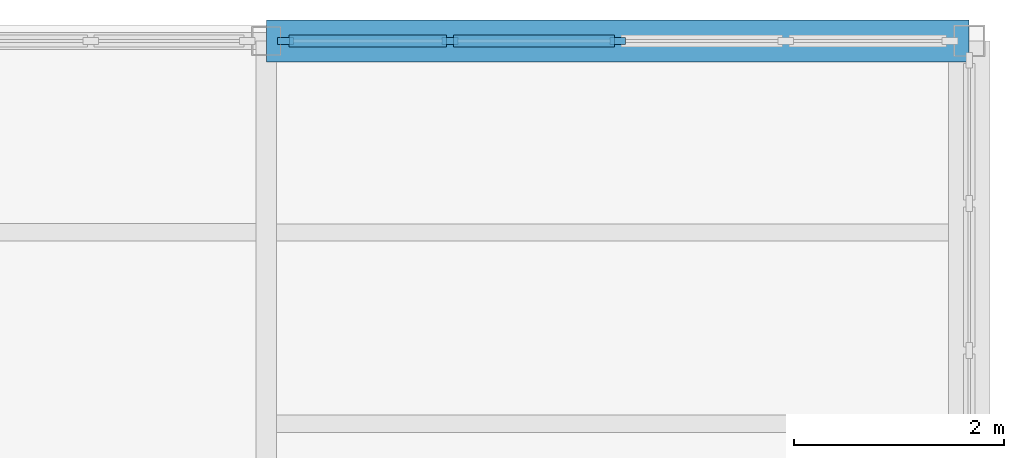
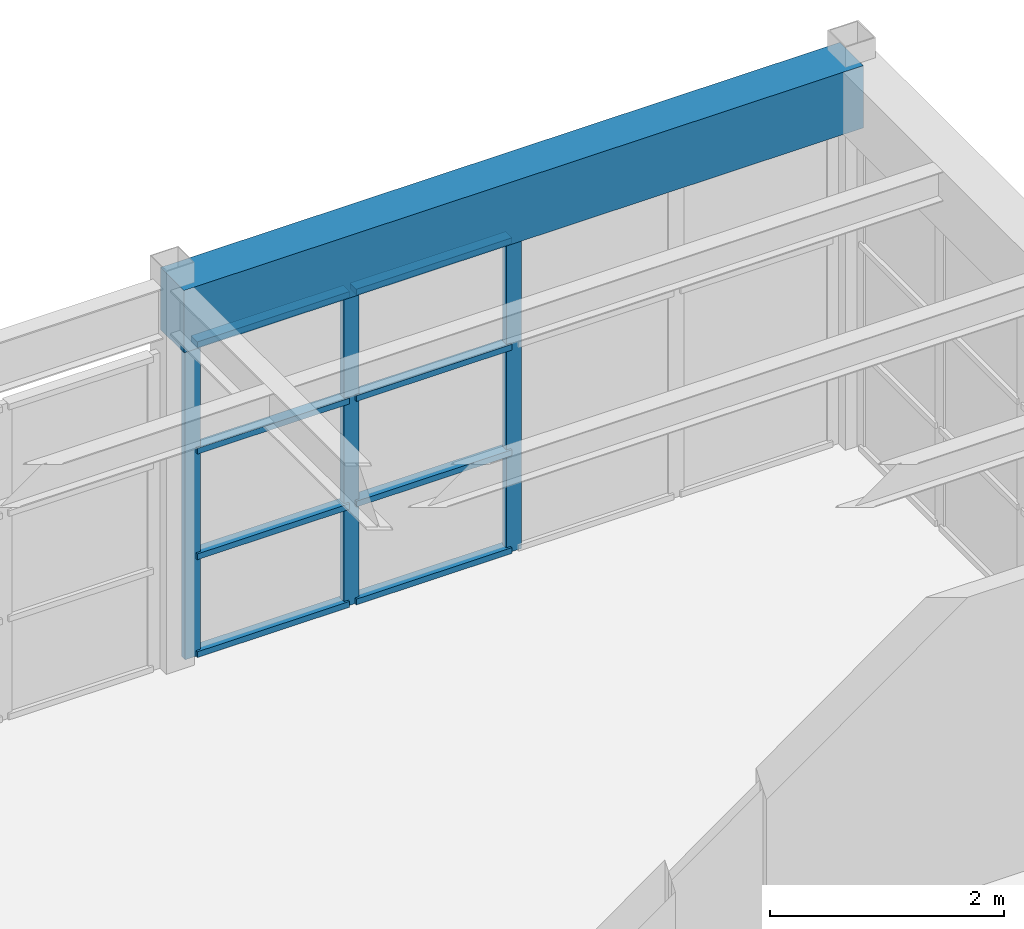
# One storey, part 31 of 52: 11 members, 1 beam, 1 element without a shape of its own.
"""IFC4 building model written with IfcOpenShell, lengths in metres."""

import ifcopenshell
import ifcopenshell.guid

model = None  # the IFC model being written
_history = None  # IfcOwnerHistory: only IFC2X3 demands one
_inside = {}  # id of a spatial element -> (the spatial element, [elements in it])
_under = {}  # id of a project, library or spatial element -> (it, [spatial elements below it])
_declared = {}  # id of a project -> (the project, [libraries it declares])
_typed = {}  # id of a type object -> (the type object, [elements of that type])
_made_of = {}  # id of a material, layer set ... -> (it, [elements and type objects made of it])


def new_model(schema):
    """Start an empty IFC model of exactly this schema.

    Asked for "IFC4X3", IfcOpenShell would pick the latest addendum, in which some entities
    have other attributes; the version numbers below select the first issue.
    IFC2X3 requires an IfcOwnerHistory on every rooted entity: one is made here for all.
    """
    global model, _history
    if schema == "IFC4X3":
        model = ifcopenshell.file(schema_version=(4, 3, 0, 0))
    else:
        model = ifcopenshell.file(schema=schema)
    _inside.clear()
    _under.clear()
    _declared.clear()
    _typed.clear()
    _made_of.clear()
    _history = None
    if model.schema == "IFC2X3":
        org = make("IfcOrganization", Name="unknown")
        user = make(
            "IfcPersonAndOrganization",
            ThePerson=make("IfcPerson", FamilyName="unknown"),
            TheOrganization=org,
        )
        app = make(
            "IfcApplication",
            ApplicationDeveloper=org,
            Version="unknown",
            ApplicationFullName="unknown",
            ApplicationIdentifier="unknown",
        )
        _history = make(
            "IfcOwnerHistory",
            OwningUser=user,
            OwningApplication=app,
            ChangeAction="ADDED",
            CreationDate=0,
        )
    return model


def make(cls, **values):
    """One entity of the class cls with the attributes given. An attribute that is None is left unset."""
    return model.create_entity(
        cls, **{name: value for name, value in values.items() if value is not None}
    )


def rooted(cls, **values):
    """An entity with a GlobalId (a new one), such as an element, a storey or a relation."""
    return make(cls, GlobalId=ifcopenshell.guid.new(), OwnerHistory=_history, **values)


def si_unit(unit_type, name, prefix=None):
    """IfcSIUnit, for example si_unit("LENGTHUNIT", "METRE", prefix="MILLI")."""
    return make("IfcSIUnit", UnitType=unit_type, Prefix=prefix, Name=name)


def assignment(units):
    """IfcUnitAssignment: the units of a project."""
    return None if units is None else make("IfcUnitAssignment", Units=units)


def point(xyz):
    """IfcCartesianPoint."""
    return None if xyz is None else make("IfcCartesianPoint", Coordinates=xyz)


def direction(xyz):
    """IfcDirection."""
    return None if xyz is None else make("IfcDirection", DirectionRatios=xyz)


def frame(location, z_axis=None, x_axis=None):
    """IfcAxis2Placement3D, a coordinate frame: its origin and axes. An axis left out is left unset."""
    return make(
        "IfcAxis2Placement3D",
        Location=point(location),
        Axis=direction(z_axis),
        RefDirection=direction(x_axis),
    )


def frame_2d(location, x_axis=None):
    """IfcAxis2Placement2D, a coordinate frame in the plane: its origin and x axis."""
    return make(
        "IfcAxis2Placement2D", Location=point(location), RefDirection=direction(x_axis)
    )


def origin():
    """The frame at (0, 0, 0) with its axes left unset."""
    return frame((0.0, 0.0, 0.0))


def origin_2d():
    """The frame at (0, 0) in the plane with its x axis left unset."""
    return frame_2d((0.0, 0.0))


def place(relative_to, where):
    """IfcLocalPlacement: puts the frame where relative to a parent placement (None: the world)."""
    return make(
        "IfcLocalPlacement", PlacementRelTo=relative_to, RelativePlacement=where
    )


def context(
    kind, dimensions, precision=None, world=None, true_north=None, identifier=None
):
    """IfcGeometricRepresentationContext, for example the 3D "Model" context."""
    return make(
        "IfcGeometricRepresentationContext",
        ContextIdentifier=identifier,
        ContextType=kind,
        CoordinateSpaceDimension=dimensions,
        Precision=precision,
        WorldCoordinateSystem=world,
        TrueNorth=true_north,
    )


def subcontext(parent, identifier, kind, view, scale=None):
    """IfcGeometricRepresentationSubContext, for example "Body" below "Model"."""
    return make(
        "IfcGeometricRepresentationSubContext",
        ContextIdentifier=identifier,
        ContextType=kind,
        ParentContext=parent,
        TargetScale=scale,
        TargetView=view,
    )


def project(units=None, contexts=None):
    """IfcProject with its units and contexts."""
    return rooted(
        "IfcProject",
        Name="project",
        RepresentationContexts=contexts,
        UnitsInContext=assignment(units),
    )


def spatial(cls, under=None, at=None, **own):
    """A site, building, storey or space (cls), placed at a placement, below another one or the project."""
    s = rooted(cls, ObjectPlacement=at, **own)
    if under is not None:
        _under.setdefault(under.id(), (under, []))[1].append(s)
    return s


def profile(cls, at=None, kind="AREA", **sizes):
    """A parametric profile (cls). Its sizes go by their IFC names, for example OverallWidth=200.0."""
    return make(cls, ProfileType=kind, Position=at, **sizes)


def rectangle(**sizes):
    """IfcRectangleProfileDef."""
    return profile("IfcRectangleProfileDef", **sizes)


def extrude(swept, where, along, depth):
    """IfcExtrudedAreaSolid: the profile swept, set in the frame where, extruded along a direction by depth."""
    return make(
        "IfcExtrudedAreaSolid",
        SweptArea=swept,
        Position=where,
        ExtrudedDirection=direction(along),
        Depth=depth,
    )


def shape(context_of_items, identifier, shape_type, items):
    """IfcShapeRepresentation: the items that make up one representation, for example the "Body"."""
    return make(
        "IfcShapeRepresentation",
        ContextOfItems=context_of_items,
        RepresentationIdentifier=identifier,
        RepresentationType=shape_type,
        Items=items,
    )


def material(Name=None, Category=None):
    """IfcMaterial."""
    return make("IfcMaterial", Name=Name, Category=Category)


def layer(
    of_material, thickness, ventilated=None, Name=None, Category=None, Priority=None
):
    """IfcMaterialLayer: one layer of a wall or slab, of a material (None: an air gap)."""
    return make(
        "IfcMaterialLayer",
        Material=of_material,
        LayerThickness=thickness,
        IsVentilated=ventilated,
        Name=Name,
        Category=Category,
        Priority=Priority,
    )


def layer_set(layers, Name=None):
    """IfcMaterialLayerSet."""
    return make("IfcMaterialLayerSet", MaterialLayers=layers, LayerSetName=Name)


def material_profile(
    of_material, cross_section, Name=None, Category=None, Priority=None
):
    """IfcMaterialProfile: a cross section and its material."""
    return make(
        "IfcMaterialProfile",
        Name=Name,
        Material=of_material,
        Profile=cross_section,
        Priority=Priority,
        Category=Category,
    )


def profile_set(profiles, Name=None, composite=None):
    """IfcMaterialProfileSet."""
    return make(
        "IfcMaterialProfileSet",
        Name=Name,
        MaterialProfiles=profiles,
        CompositeProfile=composite,
    )


def made_of(thing, what):
    """Note that an element or type object is made of a material, layer set ...; save() writes the relation."""
    if what is not None:
        _made_of.setdefault(what.id(), (what, []))[1].append(thing)
    return thing


def type_object(cls, material=None, **own):
    """A type object (cls), such as IfcWallType, which elements share."""
    return made_of(rooted(cls, **own), material)


def element(
    cls,
    number,
    at=None,
    inside=None,
    cuts=None,
    type_object=None,
    material=None,
    context=None,
    identifier="Body",
    shape_type=None,
    held_by="IfcProductDefinitionShape",
    body=None,
    shapes=None,
    **own,
):
    """One element of the class cls, such as IfcWall. Its Tag is "e" and its number.

    at: its placement. inside: the storey or other place that contains it. cuts: it is an
    opening in that element (IfcRelVoidsElement). A single representation is given by context,
    identifier, shape_type and body (its items); several are given by shapes. held_by: the class
    of the entity that holds the representations. save() writes the other relations.
    """
    e = rooted(cls, Tag="e%d" % number, ObjectPlacement=at, **own)
    if body is not None:
        shapes = [shape(context, identifier, shape_type, body)]
    if shapes is not None:
        e.Representation = make(held_by, Representations=shapes)
    if inside is not None:
        _inside.setdefault(inside.id(), (inside, []))[1].append(e)
    if cuts is not None:
        rooted(
            "IfcRelVoidsElement", RelatingBuildingElement=cuts, RelatedOpeningElement=e
        )
    if type_object is not None:
        _typed.setdefault(type_object.id(), (type_object, []))[1].append(e)
    return made_of(e, material)


def aggregate(whole, parts):
    """IfcRelAggregates: a whole, such as a stair, and the parts it consists of."""
    return rooted("IfcRelAggregates", RelatingObject=whole, RelatedObjects=parts)


def save(model, path):
    """Write the relations noted so far, then the file.

    IfcRelAggregates (storeys below a building ...), IfcRelContainedInSpatialStructure (elements
    in a storey), IfcRelDefinesByType, IfcRelAssociatesMaterial and IfcRelDeclares: one each for
    every whole, place, type object, material and project.
    """
    for whole, parts in _under.values():
        aggregate(whole, parts)
    for where, things in _inside.values():
        rooted(
            "IfcRelContainedInSpatialStructure",
            RelatedElements=things,
            RelatingStructure=where,
        )
    for kind, things in _typed.values():
        rooted("IfcRelDefinesByType", RelatedObjects=things, RelatingType=kind)
    for what, things in _made_of.values():
        rooted("IfcRelAssociatesMaterial", RelatedObjects=things, RelatingMaterial=what)
    for by, libraries in _declared.values():
        rooted("IfcRelDeclares", RelatingContext=by, RelatedDefinitions=libraries)
    model.write(path)


model = new_model("IFC4")

# Units and contexts
model_context = context("Model", 3, precision=1e-05, world=origin(), true_north=direction((0.0, 1.0)))
body_context = subcontext(model_context, "Body", "Model", "MODEL_VIEW")
ifc_project = project(units=[si_unit("LENGTHUNIT", "METRE"), si_unit("AREAUNIT", "SQUARE_METRE"), si_unit("VOLUMEUNIT", "CUBIC_METRE"), si_unit("PLANEANGLEUNIT", "RADIAN"), si_unit("MASSUNIT", "GRAM", prefix="KILO")], contexts=[model_context])

# Site, building, storey
site_placement = place(None, origin())
site = spatial("IfcSite", under=ifc_project, at=site_placement, CompositionType="ELEMENT")
building_placement = place(site_placement, origin())
building = spatial("IfcBuilding", under=site, at=building_placement, Name="Candilejo Ridge Gondola Terminal", CompositionType="ELEMENT")
storey_placement = place(building_placement, frame((0.0, 0.0, 18.60009765625)))
storey = spatial("IfcBuildingStorey", under=building, at=storey_placement, Name="L04", CompositionType="ELEMENT", Elevation=18.60009765625)

# Curtain wall, members
ifc_material_1 = material(Name="Anodised aluminium AA 6063-T6", Category="aluminium")
ifc_layer = layer(ifc_material_1, 0.169921875)
ifc_layer_set = layer_set([ifc_layer], Name="ARC-CW-TOWER-3000-640X329")
curtain_wall_type = type_object("IfcCurtainWallType", Name="ARC-CW-TOWER-3000-640X329", PredefinedType="NOTDEFINED", material=ifc_layer_set)
curtain_wall_placement = place(storey_placement, origin())
curtain_wall = element("IfcCurtainWall", 1, at=curtain_wall_placement, inside=storey, type_object=curtain_wall_type, Name="Curtain wall V5 L04-225", PredefinedType="NOTDEFINED")
ifc_material_2 = material(Name="Anodised aluminium AA 6063-T6", Category="aluminium")
ifc_material_profile_1 = material_profile(ifc_material_2, rectangle(XDim=0.06494140625, YDim=0.14990234375, at=origin_2d()))
ifc_profile_set_1 = profile_set([ifc_material_profile_1], Name="Anodised aluminium AA 6063-T6")
member_type_1 = type_object("IfcMemberType", Name="ARC-CW-MULLION-150", PredefinedType="MULLION", material=ifc_profile_set_1)
member_1_placement = place(storey_placement, frame((168.782470703125, 120.85009765625, 0.0), z_axis=(0.0, 0.0, 1.0), x_axis=(0.0, 1.0, 0.0)))
member_1 = element("IfcMember", 2, at=member_1_placement, type_object=member_type_1, Name="CW-64X32 mullion 1", PredefinedType="MULLION", context=body_context, shape_type="SweptSolid", body=[
    extrude(rectangle(XDim=0.06494140625, YDim=0.14990234375, at=origin_2d()), origin(), (0.0, 0.0, 1.0), 3.289794921875),
])
member_2_placement = place(storey_placement, frame((170.35009765625, 120.85009765625, 0.0), z_axis=(0.0, 0.0, 1.0), x_axis=(0.0, 1.0, 0.0)))
member_2 = element("IfcMember", 3, at=member_2_placement, type_object=member_type_1, Name="CW-64X32 mullion 2", PredefinedType="MULLION", context=body_context, shape_type="SweptSolid", body=[
    extrude(rectangle(XDim=0.06494140625, YDim=0.14990234375, at=origin_2d()), origin(), (0.0, 0.0, 1.0), 3.289794921875),
])
member_3_placement = place(storey_placement, frame((171.949951171875, 120.85009765625, 0.0), z_axis=(0.0, 0.0, 1.0), x_axis=(0.0, 1.0, 0.0)))
member_3 = element("IfcMember", 4, at=member_3_placement, type_object=member_type_1, Name="CW-64X32 mullion 3", PredefinedType="MULLION", context=body_context, shape_type="SweptSolid", body=[
    extrude(rectangle(XDim=0.06494140625, YDim=0.14990234375, at=origin_2d()), origin(), (0.0, 0.0, 1.0), 3.289794921875),
])
ifc_material_3 = material(Name="Anodised aluminium AA 6063-T6", Category="aluminium")
ifc_material_profile_2 = material_profile(ifc_material_3, rectangle(XDim=0.110107421875, YDim=0.06005859375, at=origin_2d()))
ifc_profile_set_2 = profile_set([ifc_material_profile_2], Name="Anodised aluminium AA 6063-T6")
member_type_2 = type_object("IfcMemberType", Name="ARC-CW-TRANSOM-110", PredefinedType="USERDEFINED", material=ifc_profile_set_2)
member_4_placement = place(storey_placement, frame((168.81494140625, 120.85009765625, 0.02978515625), z_axis=(1.0, 0.0, 0.0), x_axis=(0.0, 1.0, 0.0)))
member_4 = element("IfcMember", 5, at=member_4_placement, type_object=member_type_2, Name="CW-64X32 transom 1.1", ObjectType="TRANSOM", PredefinedType="USERDEFINED", context=body_context, shape_type="SweptSolid", body=[
    extrude(rectangle(XDim=0.110107421875, YDim=0.06005859375, at=origin_2d()), origin(), (0.0, 0.0, 1.0), 1.50244140625),
])
member_5_placement = place(storey_placement, frame((168.81494140625, 120.85009765625, 1.0498046875), z_axis=(1.0, 0.0, 0.0), x_axis=(0.0, 1.0, 0.0)))
member_5 = element("IfcMember", 6, at=member_5_placement, type_object=member_type_2, Name="CW-64X32 transom 1.2", ObjectType="TRANSOM", PredefinedType="USERDEFINED", context=body_context, shape_type="SweptSolid", body=[
    extrude(rectangle(XDim=0.110107421875, YDim=0.06005859375, at=origin_2d()), origin(), (0.0, 0.0, 1.0), 1.50244140625),
])
member_6_placement = place(storey_placement, frame((168.81494140625, 120.85009765625, 2.14990234375), z_axis=(1.0, 0.0, 0.0), x_axis=(0.0, 1.0, 0.0)))
member_6 = element("IfcMember", 7, at=member_6_placement, type_object=member_type_2, Name="CW-64X32 transom 1.3", ObjectType="TRANSOM", PredefinedType="USERDEFINED", context=body_context, shape_type="SweptSolid", body=[
    extrude(rectangle(XDim=0.110107421875, YDim=0.06005859375, at=origin_2d()), origin(), (0.0, 0.0, 1.0), 1.50244140625),
])
member_7_placement = place(storey_placement, frame((168.81494140625, 120.85009765625, 3.260009765625), z_axis=(1.0, 0.0, 0.0), x_axis=(0.0, 1.0, 0.0)))
member_7 = element("IfcMember", 8, at=member_7_placement, type_object=member_type_2, Name="CW-64X32 transom 1.4", ObjectType="TRANSOM", PredefinedType="USERDEFINED", context=body_context, shape_type="SweptSolid", body=[
    extrude(rectangle(XDim=0.110107421875, YDim=0.06005859375, at=origin_2d()), origin(), (0.0, 0.0, 1.0), 1.50244140625),
])
member_8_placement = place(storey_placement, frame((170.382568359375, 120.85009765625, 0.02978515625), z_axis=(1.0, 0.0, 0.0), x_axis=(0.0, 1.0, 0.0)))
member_8 = element("IfcMember", 9, at=member_8_placement, type_object=member_type_2, Name="CW-64X32 transom 2.1", ObjectType="TRANSOM", PredefinedType="USERDEFINED", context=body_context, shape_type="SweptSolid", body=[
    extrude(rectangle(XDim=0.110107421875, YDim=0.06005859375, at=origin_2d()), origin(), (0.0, 0.0, 1.0), 1.534912109375),
])
member_9_placement = place(storey_placement, frame((170.382568359375, 120.85009765625, 1.0498046875), z_axis=(1.0, 0.0, 0.0), x_axis=(0.0, 1.0, 0.0)))
member_9 = element("IfcMember", 10, at=member_9_placement, type_object=member_type_2, Name="CW-64X32 transom 2.2", ObjectType="TRANSOM", PredefinedType="USERDEFINED", context=body_context, shape_type="SweptSolid", body=[
    extrude(rectangle(XDim=0.110107421875, YDim=0.06005859375, at=origin_2d()), origin(), (0.0, 0.0, 1.0), 1.534912109375),
])
member_10_placement = place(storey_placement, frame((170.382568359375, 120.85009765625, 2.14990234375), z_axis=(1.0, 0.0, 0.0), x_axis=(0.0, 1.0, 0.0)))
member_10 = element("IfcMember", 11, at=member_10_placement, type_object=member_type_2, Name="CW-64X32 transom 2.3", ObjectType="TRANSOM", PredefinedType="USERDEFINED", context=body_context, shape_type="SweptSolid", body=[
    extrude(rectangle(XDim=0.110107421875, YDim=0.06005859375, at=origin_2d()), origin(), (0.0, 0.0, 1.0), 1.534912109375),
])
member_11_placement = place(storey_placement, frame((170.382568359375, 120.85009765625, 3.260009765625), z_axis=(1.0, 0.0, 0.0), x_axis=(0.0, 1.0, 0.0)))
member_11 = element("IfcMember", 12, at=member_11_placement, type_object=member_type_2, Name="CW-64X32 transom 2.4", ObjectType="TRANSOM", PredefinedType="USERDEFINED", context=body_context, shape_type="SweptSolid", body=[
    extrude(rectangle(XDim=0.110107421875, YDim=0.06005859375, at=origin_2d()), origin(), (0.0, 0.0, 1.0), 1.534912109375),
])
aggregate(curtain_wall, [member_1, member_2, member_3, member_4, member_5, member_6, member_7, member_8, member_9, member_10, member_11])

# Beam
ifc_material_4 = material(Name="Concrete f'c 35 MPa (C35/45)", Category="concrete")
ifc_material_profile_3 = material_profile(ifc_material_4, rectangle(XDim=0.39990234375, YDim=0.64990234375, at=origin_2d()))
ifc_profile_set_3 = profile_set([ifc_material_profile_3], Name="Concrete f'c 35 MPa (C35/45)")
beam_type = type_object("IfcBeamType", Name="STR-SPN-RC400X650", PredefinedType="SPANDREL", material=ifc_profile_set_3)
beam_placement = place(storey_placement, frame((168.60009765625, 120.85009765625, 3.664794921875), z_axis=(1.0, 0.0, 0.0), x_axis=(0.0, 1.0, 0.0)))
element("IfcBeam", 13, at=beam_placement, inside=storey, type_object=beam_type, Name="Beam X V5 L04 X25-X27@Y20", PredefinedType="SPANDREL", context=body_context, shape_type="SweptSolid", body=[
    extrude(rectangle(XDim=0.39990234375, YDim=0.64990234375, at=origin_2d()), origin(), (0.0, 0.0, 1.0), 6.699951171875),
])

save(model, "model.ifc")
